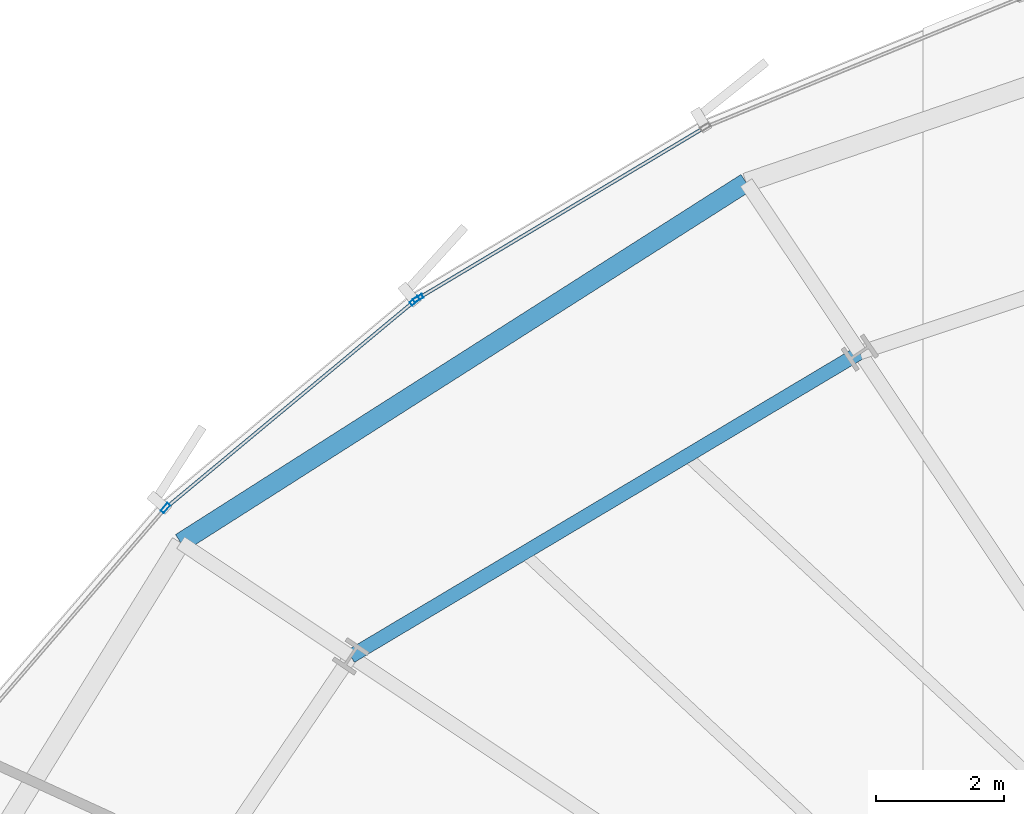
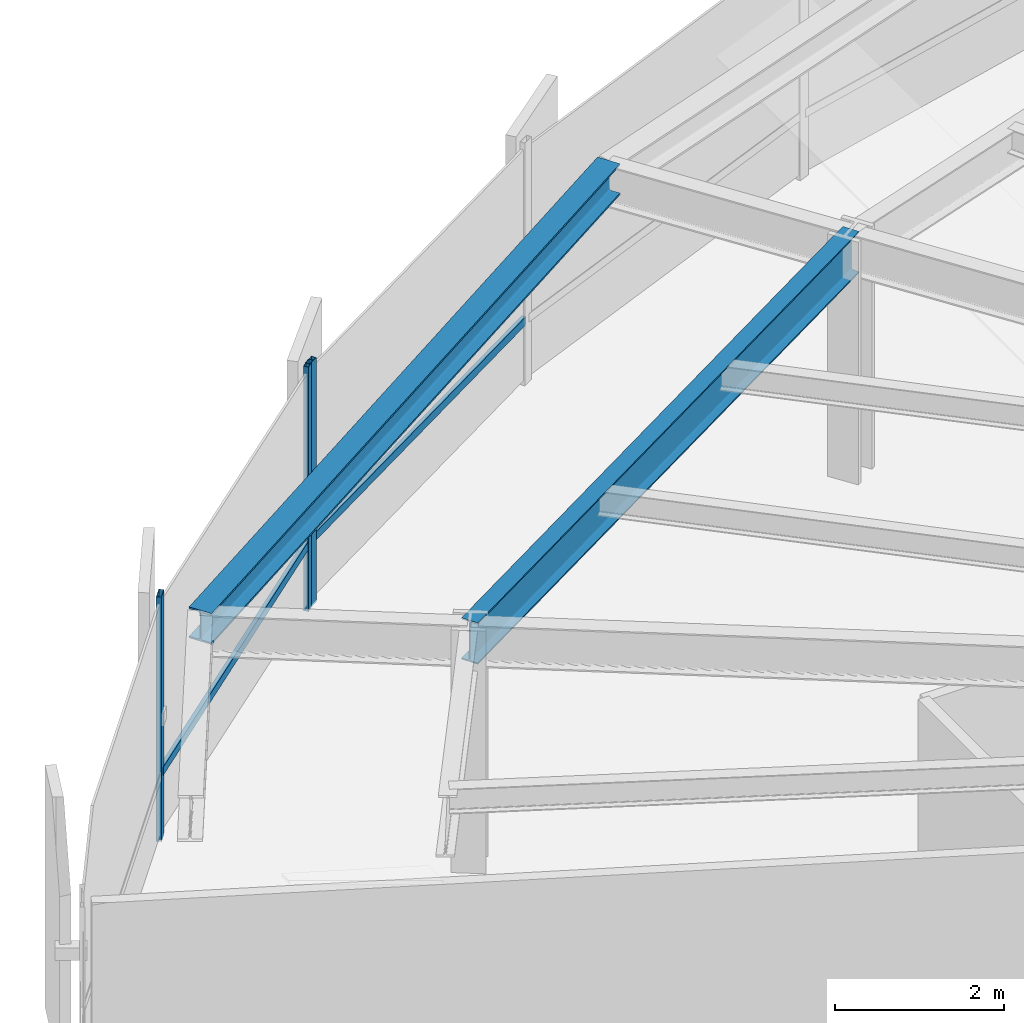
# One storey, part 18 of 35: 5 members, 2 beams, 2 elements without a shape of their own.
"""IFC4 building model written with IfcOpenShell, lengths in metres."""

from ifc_helpers import new_model, si_unit, direction, frame, origin, origin_2d, place, context, subcontext, project, spatial, hollow_rectangle, i_section, extrude, source, transform, mapped, material, layer, layer_set, material_profile, profile_set, type_object, element, aggregate, save


model = new_model("IFC4")

# Units and contexts
model_context = context("Model", 3, precision=1e-05, world=origin(), true_north=direction((0.0, 1.0)))
body_context = subcontext(model_context, "Body", "Model", "MODEL_VIEW")
ifc_project = project(units=[si_unit("LENGTHUNIT", "METRE"), si_unit("AREAUNIT", "SQUARE_METRE"), si_unit("VOLUMEUNIT", "CUBIC_METRE"), si_unit("PLANEANGLEUNIT", "RADIAN"), si_unit("MASSUNIT", "GRAM", prefix="KILO"), si_unit("THERMODYNAMICTEMPERATUREUNIT", "KELVIN")], contexts=[model_context])

# Site, building, storey
site_placement = place(None, origin())
site = spatial("IfcSite", under=ifc_project, at=site_placement, CompositionType="ELEMENT")
building_placement = place(site_placement, origin())
building = spatial("IfcBuilding", under=site, at=building_placement, Name="Kethvar Cultural Tower", CompositionType="ELEMENT")
storey_placement = place(building_placement, frame((0.0, 0.0, 71.39990234375)))
storey = spatial("IfcBuildingStorey", under=building, at=storey_placement, Name="L17", CompositionType="ELEMENT", Elevation=71.39990234375)

# Beams
ifc_material_1 = material(Name="Steel S355J2", Category="steel")
ifc_material_profile_1 = material_profile(ifc_material_1, i_section(OverallWidth=0.219970703125, OverallDepth=0.60009765625, WebThickness=0.011962890625, FlangeThickness=0.01904296875, FilletRadius=0.02392578125, at=origin_2d()), Name="Steel S355J2 — IPE600")
ifc_profile_set_1 = profile_set([ifc_material_profile_1], Name="Steel S355J2 — IPE600")
beam_type_1 = type_object("IfcBeamType", Name="BM-IPE600", PredefinedType="BEAM", material=ifc_profile_set_1)
shared_shape_1 = source(origin(), body_context, "Body", "SweptSolid", [
    extrude(i_section(OverallWidth=0.219970703125, OverallDepth=0.60009765625, WebThickness=0.011962890625, FlangeThickness=0.01904296875, FilletRadius=0.02392578125, at=origin_2d()), origin(), (0.0, 0.0, 1.0), 9.270263671875),
])
beam_1_placement = place(storey_placement, frame((34.64599609375, 45.98974609375, 3.238037109375), z_axis=(-0.858814626354, -0.51228647997, 0.0), x_axis=(0.51228647997, -0.858814626354, 0.0)))
element("IfcBeam", 1, at=beam_1_placement, inside=storey, type_object=beam_type_1, Name="L17 Column Ring Tie Beam CR-06", PredefinedType="BEAM", context=body_context, shape_type="MappedRepresentation", body=[
    mapped(shared_shape_1, transform((0.0, 0.0, 0.0), scale=1.0)),
])
ifc_material_profile_2 = material_profile(ifc_material_1, i_section(OverallWidth=0.300048828125, OverallDepth=0.449951171875, WebThickness=0.013916015625, FlangeThickness=0.02587890625, FilletRadius=0.027099609375, at=origin_2d()), Name="Steel S355J2 — HEB450")
ifc_profile_set_2 = profile_set([ifc_material_profile_2], Name="Steel S355J2 — HEB450")
beam_type_2 = type_object("IfcBeamType", Name="BM-SP450", PredefinedType="SPANDREL", material=ifc_profile_set_2)
shared_shape_2 = source(origin(), body_context, "Body", "SweptSolid", [
    extrude(i_section(OverallWidth=0.300048828125, OverallDepth=0.449951171875, WebThickness=0.013916015625, FlangeThickness=0.02587890625, FilletRadius=0.027099609375, at=origin_2d()), origin(), (0.0, 0.0, 1.0), 10.485107421875),
])
beam_2_placement = place(storey_placement, frame((32.8681640625, 48.650390625, 3.31298828125), z_axis=(-0.843502294633, -0.537125570932, 0.0), x_axis=(0.537125570932, -0.843502294633, 0.0)))
element("IfcBeam", 2, at=beam_2_placement, inside=storey, type_object=beam_type_2, Name="L17 Perimeter Spandrel Beam SP-06", PredefinedType="SPANDREL", context=body_context, shape_type="MappedRepresentation", body=[
    mapped(shared_shape_2, transform((0.0, 0.0, 0.0), scale=1.0)),
])

# Curtain wall, member
ifc_material_2 = material(Name="Aluminium 6063-T6", Category="aluminium")
ifc_layer = layer(ifc_material_2, 0.179931640625, Name="Aluminium 6063-T6", Category="aluminium")
ifc_layer_set = layer_set([ifc_layer], Name="Aluminium 6063-T6 (180 mm)")
curtain_wall_type = type_object("IfcCurtainWallType", Name="CW-SYS-02-Z1", PredefinedType="NOTDEFINED", material=ifc_layer_set)
curtain_wall_1_placement = place(storey_placement, origin())
curtain_wall_1 = element("IfcCurtainWall", 3, at=curtain_wall_1_placement, inside=storey, type_object=curtain_wall_type, Name="L17 Curtain Wall Run 02", PredefinedType="NOTDEFINED")
ifc_material_profile_3 = material_profile(ifc_material_2, hollow_rectangle(XDim=0.06494140625, YDim=0.159912109375, WallThickness=0.0048828125, at=origin_2d()), Name="Aluminium 6063-T6 — RHS160x65x5")
ifc_profile_set_3 = profile_set([ifc_material_profile_3], Name="Aluminium 6063-T6 — RHS160x65x5")
member_type_1 = type_object("IfcMemberType", Name="CW-SYS-02-Z1-MUL", PredefinedType="MULLION", material=ifc_profile_set_3)
shared_shape_3 = source(origin(), body_context, "Body", "SweptSolid", [
    extrude(hollow_rectangle(XDim=0.06494140625, YDim=0.159912109375, WallThickness=0.0048828125, at=origin_2d()), origin(), (0.0, 0.0, 1.0), 3.5400390625),
])
member_1_placement = place(storey_placement, frame((27.739501953125, 46.83935546875, 0.0), z_axis=(0.0, 0.0, 1.0), x_axis=(0.512342667236, -0.858781107925, 0.0)))
member_1 = element("IfcMember", 4, at=member_1_placement, type_object=member_type_1, Name="CW-L17-R02 Mullion 7", PredefinedType="MULLION", context=body_context, shape_type="MappedRepresentation", body=[
    mapped(shared_shape_3, transform((0.0, 0.0, 0.0), scale=1.0)),
])

# Curtain wall, members
curtain_wall_2_placement = place(storey_placement, origin())
curtain_wall_2 = element("IfcCurtainWall", 5, at=curtain_wall_2_placement, inside=storey, type_object=curtain_wall_type, Name="L17 Curtain Wall Run 03", PredefinedType="NOTDEFINED")
member_2_placement = place(storey_placement, frame((27.685791015625, 46.801513671875, 0.0), z_axis=(0.0, 0.0, 1.0), x_axis=(0.639519511403, -0.768774865962, 0.0)))
member_2 = element("IfcMember", 6, at=member_2_placement, type_object=member_type_1, Name="CW-L17-R03 Mullion 1", PredefinedType="MULLION", context=body_context, shape_type="MappedRepresentation", body=[
    mapped(shared_shape_3, transform((0.0, 0.0, 0.0), scale=1.0)),
])
member_3_placement = place(storey_placement, frame((23.787109375, 43.560546875, 0.0), z_axis=(0.0, 0.0, 1.0), x_axis=(0.757496623389, -0.652839080903, 0.0)))
member_3 = element("IfcMember", 7, at=member_3_placement, type_object=member_type_1, Name="CW-L17-R03 Mullion 2", PredefinedType="MULLION", context=body_context, shape_type="MappedRepresentation", body=[
    mapped(shared_shape_3, transform((0.0, 0.0, 0.0), scale=1.0)),
])

# Member
ifc_material_profile_4 = material_profile(ifc_material_2, hollow_rectangle(XDim=0.054931640625, YDim=0.1201171875, WallThickness=0.00390625, at=origin_2d()), Name="Aluminium 6063-T6 — RHS120x55x4")
ifc_profile_set_4 = profile_set([ifc_material_profile_4], Name="Aluminium 6063-T6 — RHS120x55x4")
member_type_2 = type_object("IfcMemberType", Name="CW-SYS-02-Z1-TRN", PredefinedType="USERDEFINED", material=ifc_profile_set_4)
shared_shape_4 = source(origin(), body_context, "Body", "SweptSolid", [
    extrude(hollow_rectangle(XDim=0.054931640625, YDim=0.1201171875, WallThickness=0.00390625, at=origin_2d()), origin(), (0.0, 0.0, 1.0), 5.17822265625),
])
member_4_placement = place(storey_placement, frame((32.1904296875, 49.494873046875, 0.9501953125), z_axis=(-0.858779836962, -0.512344797599, 0.0), x_axis=(0.512344797599, -0.858779836962, 0.0)))
member_4 = element("IfcMember", 8, at=member_4_placement, type_object=member_type_2, Name="CW-L17-R02 Transom 6", ObjectType="TRANSOM", PredefinedType="USERDEFINED", context=body_context, shape_type="MappedRepresentation", body=[
    mapped(shared_shape_4, transform((0.0, 0.0, 0.0), scale=1.0)),
])

aggregate(curtain_wall_1, [member_1, member_4])

shared_shape_5 = source(origin(), body_context, "Body", "SweptSolid", [
    extrude(hollow_rectangle(XDim=0.054931640625, YDim=0.1201171875, WallThickness=0.00390625, at=origin_2d()), origin(), (0.0, 0.0, 1.0), 5.038330078125),
])
member_5_placement = place(storey_placement, frame((27.682373046875, 46.798583984375, 0.9501953125), z_axis=(-0.768765146717, -0.639531194855, 0.0), x_axis=(0.639531194855, -0.768765146717, 0.0)))
member_5 = element("IfcMember", 9, at=member_5_placement, type_object=member_type_2, Name="CW-L17-R03 Transom 1", ObjectType="TRANSOM", PredefinedType="USERDEFINED", context=body_context, shape_type="MappedRepresentation", body=[
    mapped(shared_shape_5, transform((0.0, 0.0, 0.0), scale=1.0)),
])

aggregate(curtain_wall_2, [member_2, member_3, member_5])

save(model, "model.ifc")
